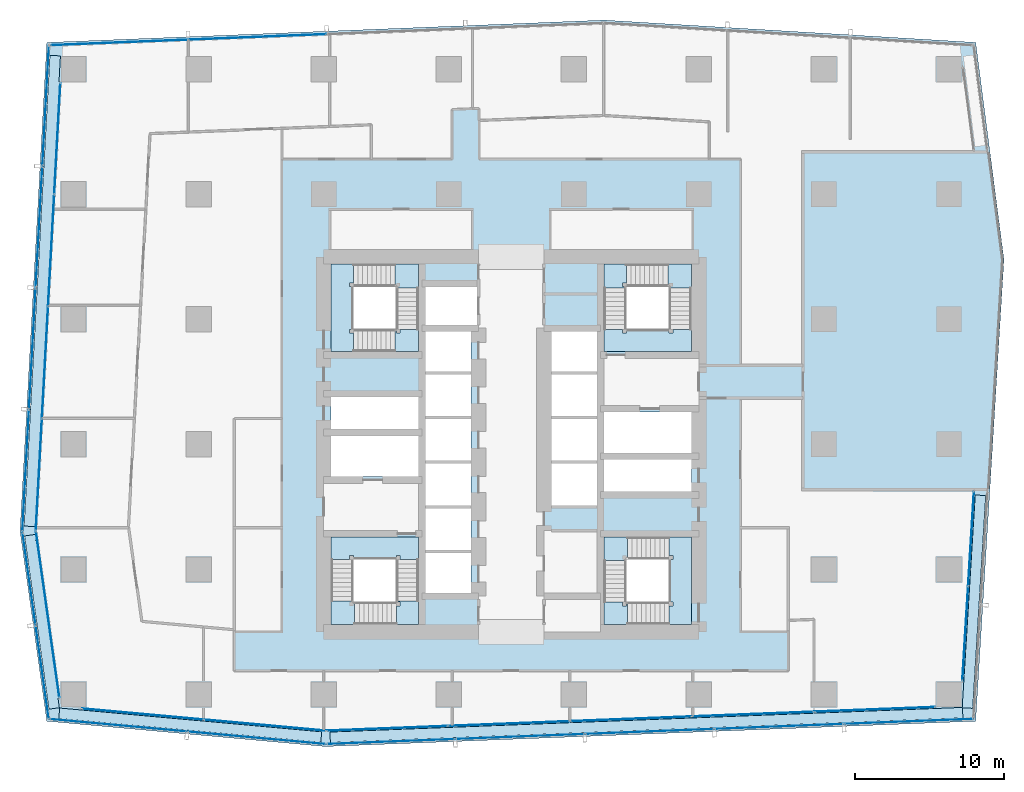
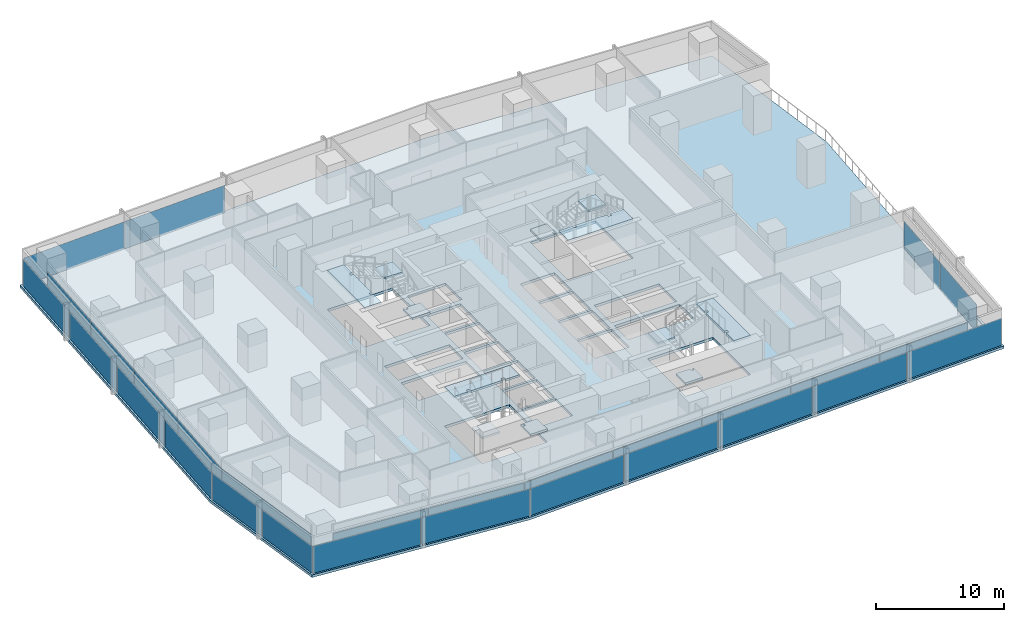
# One storey, part 27 of 40: 34 plates, 13 slabs, 14 elements without a shape of their own.
"""IFC4 building model written with IfcOpenShell, lengths in metres."""

import ifcopenshell
import ifcopenshell.guid

model = None  # the IFC model being written
_history = None  # IfcOwnerHistory: only IFC2X3 demands one
_inside = {}  # id of a spatial element -> (the spatial element, [elements in it])
_under = {}  # id of a project, library or spatial element -> (it, [spatial elements below it])
_declared = {}  # id of a project -> (the project, [libraries it declares])
_typed = {}  # id of a type object -> (the type object, [elements of that type])
_made_of = {}  # id of a material, layer set ... -> (it, [elements and type objects made of it])


def new_model(schema):
    """Start an empty IFC model of exactly this schema.

    Asked for "IFC4X3", IfcOpenShell would pick the latest addendum, in which some entities
    have other attributes; the version numbers below select the first issue.
    IFC2X3 requires an IfcOwnerHistory on every rooted entity: one is made here for all.
    """
    global model, _history
    if schema == "IFC4X3":
        model = ifcopenshell.file(schema_version=(4, 3, 0, 0))
    else:
        model = ifcopenshell.file(schema=schema)
    _inside.clear()
    _under.clear()
    _declared.clear()
    _typed.clear()
    _made_of.clear()
    _history = None
    if model.schema == "IFC2X3":
        org = make("IfcOrganization", Name="unknown")
        user = make(
            "IfcPersonAndOrganization",
            ThePerson=make("IfcPerson", FamilyName="unknown"),
            TheOrganization=org,
        )
        app = make(
            "IfcApplication",
            ApplicationDeveloper=org,
            Version="unknown",
            ApplicationFullName="unknown",
            ApplicationIdentifier="unknown",
        )
        _history = make(
            "IfcOwnerHistory",
            OwningUser=user,
            OwningApplication=app,
            ChangeAction="ADDED",
            CreationDate=0,
        )
    return model


def make(cls, **values):
    """One entity of the class cls with the attributes given. An attribute that is None is left unset."""
    return model.create_entity(
        cls, **{name: value for name, value in values.items() if value is not None}
    )


def rooted(cls, **values):
    """An entity with a GlobalId (a new one), such as an element, a storey or a relation."""
    return make(cls, GlobalId=ifcopenshell.guid.new(), OwnerHistory=_history, **values)


def si_unit(unit_type, name, prefix=None):
    """IfcSIUnit, for example si_unit("LENGTHUNIT", "METRE", prefix="MILLI")."""
    return make("IfcSIUnit", UnitType=unit_type, Prefix=prefix, Name=name)


def assignment(units):
    """IfcUnitAssignment: the units of a project."""
    return None if units is None else make("IfcUnitAssignment", Units=units)


def point(xyz):
    """IfcCartesianPoint."""
    return None if xyz is None else make("IfcCartesianPoint", Coordinates=xyz)


def direction(xyz):
    """IfcDirection."""
    return None if xyz is None else make("IfcDirection", DirectionRatios=xyz)


def frame(location, z_axis=None, x_axis=None):
    """IfcAxis2Placement3D, a coordinate frame: its origin and axes. An axis left out is left unset."""
    return make(
        "IfcAxis2Placement3D",
        Location=point(location),
        Axis=direction(z_axis),
        RefDirection=direction(x_axis),
    )


def frame_2d(location, x_axis=None):
    """IfcAxis2Placement2D, a coordinate frame in the plane: its origin and x axis."""
    return make(
        "IfcAxis2Placement2D", Location=point(location), RefDirection=direction(x_axis)
    )


def origin():
    """The frame at (0, 0, 0) with its axes left unset."""
    return frame((0.0, 0.0, 0.0))


def origin_2d():
    """The frame at (0, 0) in the plane with its x axis left unset."""
    return frame_2d((0.0, 0.0))


def place(relative_to, where):
    """IfcLocalPlacement: puts the frame where relative to a parent placement (None: the world)."""
    return make(
        "IfcLocalPlacement", PlacementRelTo=relative_to, RelativePlacement=where
    )


def context(
    kind, dimensions, precision=None, world=None, true_north=None, identifier=None
):
    """IfcGeometricRepresentationContext, for example the 3D "Model" context."""
    return make(
        "IfcGeometricRepresentationContext",
        ContextIdentifier=identifier,
        ContextType=kind,
        CoordinateSpaceDimension=dimensions,
        Precision=precision,
        WorldCoordinateSystem=world,
        TrueNorth=true_north,
    )


def subcontext(parent, identifier, kind, view, scale=None):
    """IfcGeometricRepresentationSubContext, for example "Body" below "Model"."""
    return make(
        "IfcGeometricRepresentationSubContext",
        ContextIdentifier=identifier,
        ContextType=kind,
        ParentContext=parent,
        TargetScale=scale,
        TargetView=view,
    )


def project(units=None, contexts=None):
    """IfcProject with its units and contexts."""
    return rooted(
        "IfcProject",
        Name="project",
        RepresentationContexts=contexts,
        UnitsInContext=assignment(units),
    )


def spatial(cls, under=None, at=None, **own):
    """A site, building, storey or space (cls), placed at a placement, below another one or the project."""
    s = rooted(cls, ObjectPlacement=at, **own)
    if under is not None:
        _under.setdefault(under.id(), (under, []))[1].append(s)
    return s


def polyline(points):
    """IfcPolyline through the points."""
    return make("IfcPolyline", Points=[point(p) for p in points])


def profile(cls, at=None, kind="AREA", **sizes):
    """A parametric profile (cls). Its sizes go by their IFC names, for example OverallWidth=200.0."""
    return make(cls, ProfileType=kind, Position=at, **sizes)


def rectangle(**sizes):
    """IfcRectangleProfileDef."""
    return profile("IfcRectangleProfileDef", **sizes)


def outline(outer, holes=None, kind="AREA"):
    """IfcArbitraryClosedProfileDef: a profile drawn as a closed curve; with holes, ...WithVoids."""
    if holes is None:
        return make("IfcArbitraryClosedProfileDef", ProfileType=kind, OuterCurve=outer)
    return make(
        "IfcArbitraryProfileDefWithVoids",
        ProfileType=kind,
        OuterCurve=outer,
        InnerCurves=holes,
    )


def extrude(swept, where, along, depth):
    """IfcExtrudedAreaSolid: the profile swept, set in the frame where, extruded along a direction by depth."""
    return make(
        "IfcExtrudedAreaSolid",
        SweptArea=swept,
        Position=where,
        ExtrudedDirection=direction(along),
        Depth=depth,
    )


def shape(context_of_items, identifier, shape_type, items):
    """IfcShapeRepresentation: the items that make up one representation, for example the "Body"."""
    return make(
        "IfcShapeRepresentation",
        ContextOfItems=context_of_items,
        RepresentationIdentifier=identifier,
        RepresentationType=shape_type,
        Items=items,
    )


def material(Name=None, Category=None):
    """IfcMaterial."""
    return make("IfcMaterial", Name=Name, Category=Category)


def layer(
    of_material, thickness, ventilated=None, Name=None, Category=None, Priority=None
):
    """IfcMaterialLayer: one layer of a wall or slab, of a material (None: an air gap)."""
    return make(
        "IfcMaterialLayer",
        Material=of_material,
        LayerThickness=thickness,
        IsVentilated=ventilated,
        Name=Name,
        Category=Category,
        Priority=Priority,
    )


def layer_set(layers, Name=None):
    """IfcMaterialLayerSet."""
    return make("IfcMaterialLayerSet", MaterialLayers=layers, LayerSetName=Name)


def made_of(thing, what):
    """Note that an element or type object is made of a material, layer set ...; save() writes the relation."""
    if what is not None:
        _made_of.setdefault(what.id(), (what, []))[1].append(thing)
    return thing


def type_object(cls, material=None, **own):
    """A type object (cls), such as IfcWallType, which elements share."""
    return made_of(rooted(cls, **own), material)


def element(
    cls,
    number,
    at=None,
    inside=None,
    cuts=None,
    type_object=None,
    material=None,
    context=None,
    identifier="Body",
    shape_type=None,
    held_by="IfcProductDefinitionShape",
    body=None,
    shapes=None,
    **own,
):
    """One element of the class cls, such as IfcWall. Its Tag is "e" and its number.

    at: its placement. inside: the storey or other place that contains it. cuts: it is an
    opening in that element (IfcRelVoidsElement). A single representation is given by context,
    identifier, shape_type and body (its items); several are given by shapes. held_by: the class
    of the entity that holds the representations. save() writes the other relations.
    """
    e = rooted(cls, Tag="e%d" % number, ObjectPlacement=at, **own)
    if body is not None:
        shapes = [shape(context, identifier, shape_type, body)]
    if shapes is not None:
        e.Representation = make(held_by, Representations=shapes)
    if inside is not None:
        _inside.setdefault(inside.id(), (inside, []))[1].append(e)
    if cuts is not None:
        rooted(
            "IfcRelVoidsElement", RelatingBuildingElement=cuts, RelatedOpeningElement=e
        )
    if type_object is not None:
        _typed.setdefault(type_object.id(), (type_object, []))[1].append(e)
    return made_of(e, material)


def aggregate(whole, parts):
    """IfcRelAggregates: a whole, such as a stair, and the parts it consists of."""
    return rooted("IfcRelAggregates", RelatingObject=whole, RelatedObjects=parts)


def save(model, path):
    """Write the relations noted so far, then the file.

    IfcRelAggregates (storeys below a building ...), IfcRelContainedInSpatialStructure (elements
    in a storey), IfcRelDefinesByType, IfcRelAssociatesMaterial and IfcRelDeclares: one each for
    every whole, place, type object, material and project.
    """
    for whole, parts in _under.values():
        aggregate(whole, parts)
    for where, things in _inside.values():
        rooted(
            "IfcRelContainedInSpatialStructure",
            RelatedElements=things,
            RelatingStructure=where,
        )
    for kind, things in _typed.values():
        rooted("IfcRelDefinesByType", RelatedObjects=things, RelatingType=kind)
    for what, things in _made_of.values():
        rooted("IfcRelAssociatesMaterial", RelatedObjects=things, RelatingMaterial=what)
    for by, libraries in _declared.values():
        rooted("IfcRelDeclares", RelatingContext=by, RelatedDefinitions=libraries)
    model.write(path)


model = new_model("IFC4")

# Units and contexts
model_context = context("Model", 3, precision=1e-05, world=origin(), true_north=direction((0.0, 1.0)))
body_context = subcontext(model_context, "Body", "Model", "MODEL_VIEW")
ifc_project = project(units=[si_unit("LENGTHUNIT", "METRE"), si_unit("AREAUNIT", "SQUARE_METRE"), si_unit("VOLUMEUNIT", "CUBIC_METRE"), si_unit("PLANEANGLEUNIT", "RADIAN"), si_unit("MASSUNIT", "GRAM", prefix="KILO")], contexts=[model_context])

# Site, building, storey
site_placement = place(None, origin())
site = spatial("IfcSite", under=ifc_project, at=site_placement, CompositionType="ELEMENT")
building_placement = place(site_placement, origin())
building = spatial("IfcBuilding", under=site, at=building_placement, Name="Rekha Terrace Tower", CompositionType="ELEMENT")
storey_placement = place(building_placement, frame((0.0, 0.0, 99.050048828125)))
storey = spatial("IfcBuildingStorey", under=building, at=storey_placement, Name="L24", CompositionType="ELEMENT", Elevation=99.050048828125)

# Curtain wall, plates
ifc_material_1 = material(Name="Aluminium framing", Category="aluminium")
curtain_wall_type_1 = type_object("IfcCurtainWallType", Name="CW1 double skin inner glazing", PredefinedType="USERDEFINED", material=ifc_material_1)
curtain_wall_1_placement = place(storey_placement, origin())
curtain_wall_1 = element("IfcCurtainWall", 1, at=curtain_wall_1_placement, inside=storey, type_object=curtain_wall_type_1, Name="CW1 double skin inner glazing", ObjectType="DOUBLE SKIN INNER GLAZING", PredefinedType="USERDEFINED")
ifc_material_2 = material(Name="Double-glazed low-e unit 32", Category="glass")
ifc_layer_1 = layer(ifc_material_2, 0.031982421875)
ifc_layer_set_1 = layer_set([ifc_layer_1], Name="Double-glazed low-e unit 32")
plate_type_1 = type_object("IfcPlateType", Name="CW1 jumbo vision panel, double-glazed low-e unit 32", PredefinedType="CURTAIN_PANEL", material=ifc_layer_set_1)
plate_1_placement = place(storey_placement, frame((13.0439453125, 15.479248046875, 0.0), z_axis=(0.0, 0.0, 1.0), x_axis=(0.995901923142, -0.090439811381, 0.0)))
plate_1 = element("IfcPlate", 2, at=plate_1_placement, type_object=plate_type_1, Name="CW1 panel 1.1", PredefinedType="CURTAIN_PANEL", context=body_context, shape_type="SweptSolid", body=[
    extrude(rectangle(XDim=8.1494140625, YDim=0.031982421875, at=origin_2d()), origin(), (0.0, 0.0, 1.0), 2.60009765625),
])
plate_2_placement = place(storey_placement, frame((21.257080078125, 14.7333984375, 0.0), z_axis=(0.0, 0.0, 1.0), x_axis=(0.995901923142, -0.090439811381, 0.0)))
plate_2 = element("IfcPlate", 3, at=plate_2_placement, type_object=plate_type_1, Name="CW1 panel 2.1", PredefinedType="CURTAIN_PANEL", context=body_context, shape_type="SweptSolid", body=[
    extrude(rectangle(XDim=8.214599609375, YDim=0.031982421875, at=origin_2d()), origin(), (0.0, 0.0, 1.0), 2.60009765625),
])
aggregate(curtain_wall_1, [plate_1, plate_2])

curtain_wall_2_placement = place(storey_placement, origin())
curtain_wall_2 = element("IfcCurtainWall", 4, at=curtain_wall_2_placement, inside=storey, type_object=curtain_wall_type_1, Name="CW1 double skin inner glazing", ObjectType="DOUBLE SKIN INNER GLAZING", PredefinedType="USERDEFINED")
plate_3_placement = place(storey_placement, frame((29.4619140625, 14.52197265625, 0.0), z_axis=(0.0, 0.0, 1.0), x_axis=(0.999243498917, 0.038889971345, 0.0)))
plate_3 = element("IfcPlate", 5, at=plate_3_placement, type_object=plate_type_1, Name="CW1 panel 1.1", PredefinedType="CURTAIN_PANEL", context=body_context, shape_type="SweptSolid", body=[
    extrude(rectangle(XDim=8.105224609375, YDim=0.031982421875, at=origin_2d()), origin(), (0.0, 0.0, 1.0), 2.60009765625),
])
plate_4_placement = place(storey_placement, frame((37.64208984375, 14.84033203125, 0.0), z_axis=(0.0, 0.0, 1.0), x_axis=(0.999243498917, 0.038889971345, 0.0)))
plate_4 = element("IfcPlate", 6, at=plate_4_placement, type_object=plate_type_1, Name="CW1 panel 2.1", PredefinedType="CURTAIN_PANEL", context=body_context, shape_type="SweptSolid", body=[
    extrude(rectangle(XDim=8.1376953125, YDim=0.031982421875, at=origin_2d()), origin(), (0.0, 0.0, 1.0), 2.60009765625),
])
plate_5_placement = place(storey_placement, frame((45.838623046875, 15.159423828125, 0.0), z_axis=(0.0, 0.0, 1.0), x_axis=(0.999243498917, 0.038889971345, 0.0)))
plate_5 = element("IfcPlate", 7, at=plate_5_placement, type_object=plate_type_1, Name="CW1 panel 3.1", PredefinedType="CURTAIN_PANEL", context=body_context, shape_type="SweptSolid", body=[
    extrude(rectangle(XDim=8.1376953125, YDim=0.031982421875, at=origin_2d()), origin(), (0.0, 0.0, 1.0), 2.60009765625),
])
plate_6_placement = place(storey_placement, frame((54.034912109375, 15.478271484375, 0.0), z_axis=(0.0, 0.0, 1.0), x_axis=(0.999243498917, 0.038889971345, 0.0)))
plate_6 = element("IfcPlate", 8, at=plate_6_placement, type_object=plate_type_1, Name="CW1 panel 4.1", PredefinedType="CURTAIN_PANEL", context=body_context, shape_type="SweptSolid", body=[
    extrude(rectangle(XDim=8.1376953125, YDim=0.031982421875, at=origin_2d()), origin(), (0.0, 0.0, 1.0), 2.60009765625),
])
plate_7_placement = place(storey_placement, frame((62.21533203125, 15.796630859375, 0.0), z_axis=(0.0, 0.0, 1.0), x_axis=(0.999243498917, 0.038889971345, 0.0)))
plate_7 = element("IfcPlate", 9, at=plate_7_placement, type_object=plate_type_1, Name="CW1 panel 5.1", PredefinedType="CURTAIN_PANEL", context=body_context, shape_type="SweptSolid", body=[
    extrude(rectangle(XDim=8.105224609375, YDim=0.031982421875, at=origin_2d()), origin(), (0.0, 0.0, 1.0), 2.60009765625),
])
aggregate(curtain_wall_2, [plate_3, plate_4, plate_5, plate_6, plate_7])

curtain_wall_3_placement = place(storey_placement, origin())
curtain_wall_3 = element("IfcCurtainWall", 10, at=curtain_wall_3_placement, inside=storey, type_object=curtain_wall_type_1, Name="CW1 double skin inner glazing", ObjectType="DOUBLE SKIN INNER GLAZING", PredefinedType="USERDEFINED")
plate_8_placement = place(storey_placement, frame((68.298583984375, 20.885986328125, 0.0), z_axis=(0.0, 0.0, 1.0), x_axis=(0.061159803096, 0.998127987026, 0.0)))
plate_8 = element("IfcPlate", 11, at=plate_8_placement, type_object=plate_type_1, Name="CW1 panel 1.1", PredefinedType="CURTAIN_PANEL", context=body_context, shape_type="SweptSolid", body=[
    extrude(rectangle(XDim=6.320068359375, YDim=0.031982421875, at=origin_2d()), origin(), (0.0, 0.0, 1.0), 2.60009765625),
])
plate_9_placement = place(storey_placement, frame((68.689208984375, 27.259033203125, 0.0), z_axis=(0.0, 0.0, 1.0), x_axis=(0.061159803096, 0.998127987026, 0.0)))
plate_9 = element("IfcPlate", 12, at=plate_9_placement, type_object=plate_type_1, Name="CW1 panel 2.1", PredefinedType="CURTAIN_PANEL", context=body_context, shape_type="SweptSolid", body=[
    extrude(rectangle(XDim=6.320068359375, YDim=0.031982421875, at=origin_2d()), origin(), (0.0, 0.0, 1.0), 2.60009765625),
])
aggregate(curtain_wall_3, [plate_8, plate_9])

curtain_wall_4_placement = place(storey_placement, origin())
curtain_wall_4 = element("IfcCurtainWall", 13, at=curtain_wall_4_placement, inside=storey, type_object=curtain_wall_type_1, Name="CW1 double skin inner glazing", ObjectType="DOUBLE SKIN INNER GLAZING", PredefinedType="USERDEFINED")
plate_10_placement = place(storey_placement, frame((7.30810546875, 54.15087890625, 0.0), z_axis=(0.0, 0.0, 1.0), x_axis=(-0.054742352707, -0.99850051318, 0.0)))
plate_10 = element("IfcPlate", 14, at=plate_10_placement, type_object=plate_type_1, Name="CW1 panel 1.1", PredefinedType="CURTAIN_PANEL", context=body_context, shape_type="SweptSolid", body=[
    extrude(rectangle(XDim=7.443359375, YDim=0.031982421875, at=origin_2d()), origin(), (0.0, 0.0, 1.0), 2.60009765625),
])
plate_11_placement = place(storey_placement, frame((6.89599609375, 46.637451171875, 0.0), z_axis=(0.0, 0.0, 1.0), x_axis=(-0.054742352707, -0.99850051318, 0.0)))
plate_11 = element("IfcPlate", 15, at=plate_11_placement, type_object=plate_type_1, Name="CW1 panel 2.1", PredefinedType="CURTAIN_PANEL", context=body_context, shape_type="SweptSolid", body=[
    extrude(rectangle(XDim=7.475830078125, YDim=0.031982421875, at=origin_2d()), origin(), (0.0, 0.0, 1.0), 2.60009765625),
])
plate_12_placement = place(storey_placement, frame((6.4833984375, 39.10791015625, 0.0), z_axis=(0.0, 0.0, 1.0), x_axis=(-0.054742352707, -0.99850051318, 0.0)))
plate_12 = element("IfcPlate", 16, at=plate_12_placement, type_object=plate_type_1, Name="CW1 panel 3.1", PredefinedType="CURTAIN_PANEL", context=body_context, shape_type="SweptSolid", body=[
    extrude(rectangle(XDim=7.475830078125, YDim=0.031982421875, at=origin_2d()), origin(), (0.0, 0.0, 1.0), 2.60009765625),
])
plate_13_placement = place(storey_placement, frame((6.069580078125, 31.56201171875, 0.0), z_axis=(0.0, 0.0, 1.0), x_axis=(-0.054742352707, -0.99850051318, 0.0)))
plate_13 = element("IfcPlate", 17, at=plate_13_placement, type_object=plate_type_1, Name="CW1 panel 4.1", PredefinedType="CURTAIN_PANEL", context=body_context, shape_type="SweptSolid", body=[
    extrude(rectangle(XDim=7.508544921875, YDim=0.031982421875, at=origin_2d()), origin(), (0.0, 0.0, 1.0), 2.60009765625),
])
aggregate(curtain_wall_4, [plate_10, plate_11, plate_12, plate_13])

# Curtain wall, plate
curtain_wall_5_placement = place(storey_placement, origin())
curtain_wall_5 = element("IfcCurtainWall", 18, at=curtain_wall_5_placement, inside=storey, type_object=curtain_wall_type_1, Name="CW1 double skin inner glazing", ObjectType="DOUBLE SKIN INNER GLAZING", PredefinedType="USERDEFINED")
plate_14_placement = place(storey_placement, frame((6.65869140625, 22.177490234375, 0.0), z_axis=(0.0, 0.0, 1.0), x_axis=(0.139597048082, -0.990208394312, 0.0)))
plate_14 = element("IfcPlate", 19, at=plate_14_placement, type_object=plate_type_1, Name="CW1 panel 1.1", PredefinedType="CURTAIN_PANEL", context=body_context, shape_type="SweptSolid", body=[
    extrude(rectangle(XDim=11.253173828125, YDim=0.031982421875, at=origin_2d()), origin(), (0.0, 0.0, 1.0), 2.60009765625),
])
aggregate(curtain_wall_5, [plate_14])

# Curtain wall, plates
curtain_wall_type_2 = type_object("IfcCurtainWallType", Name="CW2 double skin outer glazing", PredefinedType="USERDEFINED", material=ifc_material_1)
curtain_wall_6_placement = place(storey_placement, origin())
curtain_wall_6 = element("IfcCurtainWall", 20, at=curtain_wall_6_placement, inside=storey, type_object=curtain_wall_type_2, Name="CW2 double skin outer glazing", ObjectType="DOUBLE SKIN OUTER GLAZING", PredefinedType="USERDEFINED")
ifc_material_3 = material(Name="Toughened single glazing 12", Category="glass")
ifc_layer_2 = layer(ifc_material_3, 0.011962890625)
ifc_layer_set_2 = layer_set([ifc_layer_2], Name="Toughened single glazing 12")
plate_type_2 = type_object("IfcPlateType", Name="CW2 jumbo vision panel, toughened single glazing 12", PredefinedType="CURTAIN_PANEL", material=ifc_layer_set_2)
plate_15_placement = place(storey_placement, frame((11.406494140625, 14.72412109375, 0.0), z_axis=(0.0, 0.0, 1.0), x_axis=(0.995901923137, -0.090439811433, 0.0)))
plate_15 = element("IfcPlate", 21, at=plate_15_placement, type_object=plate_type_2, Name="CW2 panel 1.1", PredefinedType="CURTAIN_PANEL", context=body_context, shape_type="SweptSolid", body=[
    extrude(rectangle(XDim=9.2099609375, YDim=0.011962890625, at=origin_2d()), origin(), (0.0, 0.0, 1.0), 2.60009765625),
])
plate_16_placement = place(storey_placement, frame((20.6982421875, 13.88037109375, 0.0), z_axis=(0.0, 0.0, 1.0), x_axis=(0.995901923137, -0.090439811433, 0.0)))
plate_16 = element("IfcPlate", 22, at=plate_16_placement, type_object=plate_type_2, Name="CW2 panel 2.1", PredefinedType="CURTAIN_PANEL", context=body_context, shape_type="SweptSolid", body=[
    extrude(rectangle(XDim=9.2900390625, YDim=0.011962890625, at=origin_2d()), origin(), (0.0, 0.0, 1.0), 2.60009765625),
])
aggregate(curtain_wall_6, [plate_15, plate_16])

curtain_wall_7_placement = place(storey_placement, origin())
curtain_wall_7 = element("IfcCurtainWall", 23, at=curtain_wall_7_placement, inside=storey, type_object=curtain_wall_type_2, Name="CW2 double skin outer glazing", ObjectType="DOUBLE SKIN OUTER GLAZING", PredefinedType="USERDEFINED")
plate_17_placement = place(storey_placement, frame((29.696533203125, 13.63037109375, 0.0), z_axis=(0.0, 0.0, 1.0), x_axis=(0.999243498917, 0.038889971345, 0.0)))
plate_17 = element("IfcPlate", 24, at=plate_17_placement, type_object=plate_type_2, Name="CW2 panel 1.1", PredefinedType="CURTAIN_PANEL", context=body_context, shape_type="SweptSolid", body=[
    extrude(rectangle(XDim=8.591552734375, YDim=0.011962890625, at=origin_2d()), origin(), (0.0, 0.0, 1.0), 2.60009765625),
])
plate_18_placement = place(storey_placement, frame((38.381591796875, 13.968505859375, 0.0), z_axis=(0.0, 0.0, 1.0), x_axis=(0.999243498917, 0.038889971345, 0.0)))
plate_18 = element("IfcPlate", 25, at=plate_18_placement, type_object=plate_type_2, Name="CW2 panel 2.1", PredefinedType="CURTAIN_PANEL", context=body_context, shape_type="SweptSolid", body=[
    extrude(rectangle(XDim=8.631591796875, YDim=0.011962890625, at=origin_2d()), origin(), (0.0, 0.0, 1.0), 2.60009765625),
])
plate_19_placement = place(storey_placement, frame((47.086669921875, 14.307373046875, 0.0), z_axis=(0.0, 0.0, 1.0), x_axis=(0.999243498917, 0.038889971345, 0.0)))
plate_19 = element("IfcPlate", 26, at=plate_19_placement, type_object=plate_type_2, Name="CW2 panel 3.1", PredefinedType="CURTAIN_PANEL", context=body_context, shape_type="SweptSolid", body=[
    extrude(rectangle(XDim=8.631591796875, YDim=0.011962890625, at=origin_2d()), origin(), (0.0, 0.0, 1.0), 2.60009765625),
])
plate_20_placement = place(storey_placement, frame((55.791748046875, 14.64599609375, 0.0), z_axis=(0.0, 0.0, 1.0), x_axis=(0.999243498917, 0.038889971345, 0.0)))
plate_20 = element("IfcPlate", 27, at=plate_20_placement, type_object=plate_type_2, Name="CW2 panel 4.1", PredefinedType="CURTAIN_PANEL", context=body_context, shape_type="SweptSolid", body=[
    extrude(rectangle(XDim=8.631591796875, YDim=0.011962890625, at=origin_2d()), origin(), (0.0, 0.0, 1.0), 2.60009765625),
])
plate_21_placement = place(storey_placement, frame((64.5166015625, 14.985595703125, 0.0), z_axis=(0.0, 0.0, 1.0), x_axis=(0.999243498917, 0.038889971345, 0.0)))
plate_21 = element("IfcPlate", 28, at=plate_21_placement, type_object=plate_type_2, Name="CW2 panel 5.1", PredefinedType="CURTAIN_PANEL", context=body_context, shape_type="SweptSolid", body=[
    extrude(rectangle(XDim=8.671630859375, YDim=0.011962890625, at=origin_2d()), origin(), (0.0, 0.0, 1.0), 2.60009765625),
])
aggregate(curtain_wall_7, [plate_17, plate_18, plate_19, plate_20, plate_21])

curtain_wall_8_placement = place(storey_placement, origin())
curtain_wall_8 = element("IfcCurtainWall", 29, at=curtain_wall_8_placement, inside=storey, type_object=curtain_wall_type_2, Name="CW2 double skin outer glazing", ObjectType="DOUBLE SKIN OUTER GLAZING", PredefinedType="USERDEFINED")
plate_22_placement = place(storey_placement, frame((6.52685546875, 56.342041015625, 0.0), z_axis=(0.0, 0.0, 1.0), x_axis=(-0.054742352707, -0.99850051318, 0.0)))
plate_22 = element("IfcPlate", 30, at=plate_22_placement, type_object=plate_type_2, Name="CW2 panel 1.1", PredefinedType="CURTAIN_PANEL", context=body_context, shape_type="SweptSolid", body=[
    extrude(rectangle(XDim=8.06005859375, YDim=0.011962890625, at=origin_2d()), origin(), (0.0, 0.0, 1.0), 2.60009765625),
])
plate_23_placement = place(storey_placement, frame((6.080078125, 48.1943359375, 0.0), z_axis=(0.0, 0.0, 1.0), x_axis=(-0.054742352707, -0.99850051318, 0.0)))
plate_23 = element("IfcPlate", 31, at=plate_23_placement, type_object=plate_type_2, Name="CW2 panel 2.1", PredefinedType="CURTAIN_PANEL", context=body_context, shape_type="SweptSolid", body=[
    extrude(rectangle(XDim=8.10009765625, YDim=0.011962890625, at=origin_2d()), origin(), (0.0, 0.0, 1.0), 2.60009765625),
])
plate_24_placement = place(storey_placement, frame((5.63232421875, 40.026611328125, 0.0), z_axis=(0.0, 0.0, 1.0), x_axis=(-0.054742352707, -0.99850051318, 0.0)))
plate_24 = element("IfcPlate", 32, at=plate_24_placement, type_object=plate_type_2, Name="CW2 panel 3.1", PredefinedType="CURTAIN_PANEL", context=body_context, shape_type="SweptSolid", body=[
    extrude(rectangle(XDim=8.10009765625, YDim=0.011962890625, at=origin_2d()), origin(), (0.0, 0.0, 1.0), 2.60009765625),
])
plate_25_placement = place(storey_placement, frame((5.183349609375, 31.8388671875, 0.0), z_axis=(0.0, 0.0, 1.0), x_axis=(-0.054742352707, -0.99850051318, 0.0)))
plate_25 = element("IfcPlate", 33, at=plate_25_placement, type_object=plate_type_2, Name="CW2 panel 4.1", PredefinedType="CURTAIN_PANEL", context=body_context, shape_type="SweptSolid", body=[
    extrude(rectangle(XDim=8.14013671875, YDim=0.011962890625, at=origin_2d()), origin(), (0.0, 0.0, 1.0), 2.60009765625),
])
aggregate(curtain_wall_8, [plate_22, plate_23, plate_24, plate_25])

curtain_wall_9_placement = place(storey_placement, origin())
curtain_wall_9 = element("IfcCurtainWall", 34, at=curtain_wall_9_placement, inside=storey, type_object=curtain_wall_type_2, Name="CW2 double skin outer glazing", ObjectType="DOUBLE SKIN OUTER GLAZING", PredefinedType="USERDEFINED")
plate_26_placement = place(storey_placement, frame((5.408447265625, 24.598388671875, 0.0), z_axis=(0.0, 0.0, 1.0), x_axis=(0.139597048082, -0.990208394312, 0.0)))
plate_26 = element("IfcPlate", 35, at=plate_26_placement, type_object=plate_type_2, Name="CW2 panel 1.1", PredefinedType="CURTAIN_PANEL", context=body_context, shape_type="SweptSolid", body=[
    extrude(rectangle(XDim=6.255859375, YDim=0.011962890625, at=origin_2d()), origin(), (0.0, 0.0, 1.0), 2.60009765625),
])
plate_27_placement = place(storey_placement, frame((6.298583984375, 18.284912109375, 0.0), z_axis=(0.0, 0.0, 1.0), x_axis=(0.139597048082, -0.990208394312, 0.0)))
plate_27 = element("IfcPlate", 36, at=plate_27_placement, type_object=plate_type_2, Name="CW2 panel 2.1", PredefinedType="CURTAIN_PANEL", context=body_context, shape_type="SweptSolid", body=[
    extrude(rectangle(XDim=6.3359375, YDim=0.011962890625, at=origin_2d()), origin(), (0.0, 0.0, 1.0), 2.60009765625),
])
aggregate(curtain_wall_9, [plate_26, plate_27])

curtain_wall_type_3 = type_object("IfcCurtainWallType", Name="CW3 north unitised glazing", PredefinedType="USERDEFINED", material=ifc_material_1)
curtain_wall_10_placement = place(storey_placement, origin())
curtain_wall_10 = element("IfcCurtainWall", 37, at=curtain_wall_10_placement, inside=storey, type_object=curtain_wall_type_3, Name="CW3 unitised curtain wall", ObjectType="UNITISED CURTAIN WALL", PredefinedType="USERDEFINED")
ifc_material_4 = material(Name="Double-glazed unit 28", Category="glass")
ifc_layer_3 = layer(ifc_material_4, 0.028076171875)
ifc_layer_set_3 = layer_set([ifc_layer_3], Name="Double-glazed unit 28")
plate_type_3 = type_object("IfcPlateType", Name="CW3 jumbo vision panel, double-glazed unit 28", PredefinedType="CURTAIN_PANEL", material=ifc_layer_set_3)
plate_28_placement = place(storey_placement, frame((20.7578125, 60.967041015625, 0.0), z_axis=(0.0, 0.0, 1.0), x_axis=(-0.999198398721, -0.040031987119, 0.0)))
plate_28 = element("IfcPlate", 38, at=plate_28_placement, type_object=plate_type_3, Name="CW3 panel 3.1", PredefinedType="CURTAIN_PANEL", context=body_context, shape_type="SweptSolid", body=[
    extrude(rectangle(XDim=9.24951171875, YDim=0.028076171875, at=origin_2d()), origin(), (0.0, 0.0, 1.0), 2.60009765625),
])
plate_29_placement = place(storey_placement, frame((11.46337890625, 60.5947265625, 0.0), z_axis=(0.0, 0.0, 1.0), x_axis=(-0.999198398721, -0.040031987119, 0.0)))
plate_29 = element("IfcPlate", 39, at=plate_29_placement, type_object=plate_type_3, Name="CW3 panel 4.1", PredefinedType="CURTAIN_PANEL", context=body_context, shape_type="SweptSolid", body=[
    extrude(rectangle(XDim=9.214599609375, YDim=0.028076171875, at=origin_2d()), origin(), (0.0, 0.0, 1.0), 2.60009765625),
])
aggregate(curtain_wall_10, [plate_28, plate_29])

# Plates
ifc_material_5 = material(Name="Galvanised steel open grating", Category="steel")
ifc_layer_4 = layer(ifc_material_5, 0.050048828125)
ifc_layer_set_4 = layer_set([ifc_layer_4], Name="Galvanised steel open grating")
plate_type_4 = type_object("IfcPlateType", Name="GT1 cavity walkway grating 50", PredefinedType="USERDEFINED", material=ifc_layer_set_4)
plate_30_placement = place(storey_placement, frame((16.236083984375, 14.737548828125, 0.0), z_axis=(0.0, 0.0, 1.0), x_axis=(0.99590192314, -0.090439811399, 0.0)))
element("IfcPlate", 40, at=plate_30_placement, inside=storey, type_object=plate_type_4, Name="Cavity walkway grating", ObjectType="CAVITY WALKWAY GRATING", PredefinedType="USERDEFINED", context=body_context, shape_type="SweptSolid", body=[
    extrude(rectangle(XDim=17.674072265625, YDim=0.705078125, at=origin_2d()), origin(), (0.0, 0.0, 1.0), 0.050048828125),
])
plate_31_placement = place(storey_placement, frame((46.88037109375, 14.74951171875, 0.0), z_axis=(0.0, 0.0, 1.0), x_axis=(0.999243498917, 0.038889971345, 0.0)))
element("IfcPlate", 41, at=plate_31_placement, inside=storey, type_object=plate_type_4, Name="Cavity walkway grating", ObjectType="CAVITY WALKWAY GRATING", PredefinedType="USERDEFINED", context=body_context, shape_type="SweptSolid", body=[
    extrude(rectangle(XDim=42.521728515625, YDim=0.705078125, at=origin_2d()), origin(), (0.0, 0.0, 1.0), 0.050048828125),
])
plate_32_placement = place(storey_placement, frame((68.881103515625, 23.032958984375, 0.0), z_axis=(0.0, 0.0, 1.0), x_axis=(0.061159803131, 0.998127987024, 0.0)))
element("IfcPlate", 42, at=plate_32_placement, inside=storey, type_object=plate_type_4, Name="Cavity walkway grating", ObjectType="CAVITY WALKWAY GRATING", PredefinedType="USERDEFINED", context=body_context, shape_type="SweptSolid", body=[
    extrude(rectangle(XDim=14.31787109375, YDim=0.705078125, at=origin_2d()), origin(), (0.0, 0.0, 1.0), 0.050048828125),
])
plate_33_placement = place(storey_placement, frame((6.295654296875, 43.9033203125, 0.0), z_axis=(0.0, 0.0, 1.0), x_axis=(-0.05474235269, -0.998500513181, 0.0)))
element("IfcPlate", 43, at=plate_33_placement, inside=storey, type_object=plate_type_4, Name="Cavity walkway grating", ObjectType="CAVITY WALKWAY GRATING", PredefinedType="USERDEFINED", context=body_context, shape_type="SweptSolid", body=[
    extrude(rectangle(XDim=31.6669921875, YDim=0.705078125, at=origin_2d()), origin(), (0.0, 0.0, 1.0), 0.050048828125),
])
plate_34_placement = place(storey_placement, frame((6.2744140625, 21.678955078125, 0.0), z_axis=(0.0, 0.0, 1.0), x_axis=(0.139597048064, -0.990208394315, 0.0)))
element("IfcPlate", 44, at=plate_34_placement, inside=storey, type_object=plate_type_4, Name="Cavity walkway grating", ObjectType="CAVITY WALKWAY GRATING", PredefinedType="USERDEFINED", context=body_context, shape_type="SweptSolid", body=[
    extrude(rectangle(XDim=11.751220703125, YDim=0.705078125, at=origin_2d()), origin(), (0.0, 0.0, 1.0), 0.050048828125),
])

# Stair, slabs
ifc_material_6 = material(Name="Concrete M40", Category="concrete")
stair_type = type_object("IfcStairType", Name="ST30 stair, 30 risers of 125, going 310, 1500 wide flights, 3 flights", PredefinedType="HALF_TURN_STAIR", material=ifc_material_6)
stair_1_placement = place(storey_placement, origin())
stair_1 = element("IfcStair", 45, at=stair_1_placement, inside=storey, type_object=stair_type, Name="Stair ST1 L24 to L25", PredefinedType="HALF_TURN_STAIR")
ifc_layer_5 = layer(ifc_material_6, 0.199951171875)
ifc_layer_set_5 = layer_set([ifc_layer_5], Name="Concrete M40")
slab_type_1 = type_object("IfcSlabType", Name="LD1 200 concrete stair landing", PredefinedType="LANDING", material=ifc_layer_set_5)
slab_1_placement = place(storey_placement, frame((0.0, 0.0, 1.050048828125)))
slab_1 = element("IfcSlab", 46, at=slab_1_placement, type_object=slab_type_1, Name="ST1 landing 1", PredefinedType="LANDING", context=body_context, shape_type="SweptSolid", body=[
    extrude(outline(polyline([(30.074951171875, 21.5), (31.574951171875, 21.5), (31.574951171875, 23.0849609375), (30.074951171875, 23.0849609375), (30.074951171875, 23.0), (30.324951171875, 23.0), (30.324951171875, 22.75), (30.074951171875, 22.75), (30.074951171875, 21.5)])), origin(), (0.0, 0.0, 1.0), 0.199951171875),
])
slab_2_placement = place(storey_placement, frame((0.0, 0.0, 2.300048828125)))
slab_2 = element("IfcSlab", 47, at=slab_2_placement, type_object=slab_type_1, Name="ST1 landing 2", PredefinedType="LANDING", context=body_context, shape_type="SweptSolid", body=[
    extrude(outline(polyline([(27.199951171875, 23.0849609375), (25.699951171875, 23.0849609375), (25.699951171875, 21.5), (27.284912109375, 21.5), (27.284912109375, 23.0), (27.199951171875, 23.0), (27.199951171875, 23.0849609375)])), origin(), (0.0, 0.0, 1.0), 0.199951171875),
])
slab_3_placement = place(storey_placement, frame((0.0, 0.0, 3.550048828125)))
slab_3 = element("IfcSlab", 48, at=slab_3_placement, type_object=slab_type_1, Name="ST1 landing 3", PredefinedType="LANDING", context=body_context, shape_type="SweptSolid", body=[
    extrude(outline(polyline([(31.574951171875, 25.875), (31.574951171875, 27.375), (25.699951171875, 27.375), (25.699951171875, 25.875), (26.949951171875, 25.875), (26.949951171875, 26.125), (27.199951171875, 26.125), (27.199951171875, 25.875), (30.074951171875, 25.875), (30.074951171875, 26.125), (30.324951171875, 26.125), (30.324951171875, 25.875), (31.574951171875, 25.875)])), origin(), (0.0, 0.0, 1.0), 0.199951171875),
])
aggregate(stair_1, [slab_1, slab_2, slab_3])

stair_2_placement = place(storey_placement, origin())
stair_2 = element("IfcStair", 49, at=stair_2_placement, inside=storey, type_object=stair_type, Name="Stair ST2 L24 to L25", PredefinedType="HALF_TURN_STAIR")
slab_4_placement = place(storey_placement, frame((0.0, 0.0, 1.050048828125)))
slab_4 = element("IfcSlab", 50, at=slab_4_placement, type_object=slab_type_1, Name="ST2 landing 1", PredefinedType="LANDING", context=body_context, shape_type="SweptSolid", body=[
    extrude(outline(polyline([(45.52490234375, 45.699951171875), (44.02490234375, 45.699951171875), (44.02490234375, 44.114990234375), (45.52490234375, 44.114990234375), (45.52490234375, 44.199951171875), (45.27490234375, 44.199951171875), (45.27490234375, 44.449951171875), (45.52490234375, 44.449951171875), (45.52490234375, 45.699951171875)])), origin(), (0.0, 0.0, 1.0), 0.199951171875),
])
slab_5_placement = place(storey_placement, frame((0.0, 0.0, 2.300048828125)))
slab_5 = element("IfcSlab", 51, at=slab_5_placement, type_object=slab_type_1, Name="ST2 landing 2", PredefinedType="LANDING", context=body_context, shape_type="SweptSolid", body=[
    extrude(outline(polyline([(48.39990234375, 44.114990234375), (49.89990234375, 44.114990234375), (49.89990234375, 45.699951171875), (48.31494140625, 45.699951171875), (48.31494140625, 44.199951171875), (48.39990234375, 44.199951171875), (48.39990234375, 44.114990234375)])), origin(), (0.0, 0.0, 1.0), 0.199951171875),
])
slab_6_placement = place(storey_placement, frame((0.0, 0.0, 3.550048828125)))
slab_6 = element("IfcSlab", 52, at=slab_6_placement, type_object=slab_type_1, Name="ST2 landing 3", PredefinedType="LANDING", context=body_context, shape_type="SweptSolid", body=[
    extrude(outline(polyline([(44.02490234375, 41.324951171875), (44.02490234375, 39.824951171875), (49.89990234375, 39.824951171875), (49.89990234375, 41.324951171875), (48.64990234375, 41.324951171875), (48.64990234375, 41.074951171875), (48.39990234375, 41.074951171875), (48.39990234375, 41.324951171875), (45.52490234375, 41.324951171875), (45.52490234375, 41.074951171875), (45.27490234375, 41.074951171875), (45.27490234375, 41.324951171875), (44.02490234375, 41.324951171875)])), origin(), (0.0, 0.0, 1.0), 0.199951171875),
])
aggregate(stair_2, [slab_4, slab_5, slab_6])

stair_3_placement = place(storey_placement, origin())
stair_3 = element("IfcStair", 53, at=stair_3_placement, inside=storey, type_object=stair_type, Name="Stair ST3 L24 to L25", PredefinedType="HALF_TURN_STAIR")
slab_7_placement = place(storey_placement, frame((0.0, 0.0, 1.050048828125)))
slab_7 = element("IfcSlab", 54, at=slab_7_placement, type_object=slab_type_1, Name="ST3 landing 1", PredefinedType="LANDING", context=body_context, shape_type="SweptSolid", body=[
    extrude(outline(polyline([(44.02490234375, 23.0), (44.02490234375, 21.5), (45.610107421875, 21.5), (45.610107421875, 23.0), (45.52490234375, 23.0), (45.52490234375, 22.75), (45.27490234375, 22.75), (45.27490234375, 23.0), (44.02490234375, 23.0)])), origin(), (0.0, 0.0, 1.0), 0.199951171875),
])
slab_8_placement = place(storey_placement, frame((0.0, 0.0, 2.300048828125)))
slab_8 = element("IfcSlab", 55, at=slab_8_placement, type_object=slab_type_1, Name="ST3 landing 2", PredefinedType="LANDING", context=body_context, shape_type="SweptSolid", body=[
    extrude(outline(polyline([(45.610107421875, 25.875), (45.610107421875, 27.375), (44.02490234375, 27.375), (44.02490234375, 25.7900390625), (45.52490234375, 25.7900390625), (45.52490234375, 25.875), (45.610107421875, 25.875)])), origin(), (0.0, 0.0, 1.0), 0.199951171875),
])
slab_9_placement = place(storey_placement, frame((0.0, 0.0, 3.550048828125)))
slab_9 = element("IfcSlab", 56, at=slab_9_placement, type_object=slab_type_1, Name="ST3 landing 3", PredefinedType="LANDING", context=body_context, shape_type="SweptSolid", body=[
    extrude(outline(polyline([(48.39990234375, 21.5), (49.89990234375, 21.5), (49.89990234375, 27.375), (48.39990234375, 27.375), (48.39990234375, 26.125), (48.64990234375, 26.125), (48.64990234375, 25.875), (48.39990234375, 25.875), (48.39990234375, 23.0), (48.64990234375, 23.0), (48.64990234375, 22.75), (48.39990234375, 22.75), (48.39990234375, 21.5)])), origin(), (0.0, 0.0, 1.0), 0.199951171875),
])
aggregate(stair_3, [slab_7, slab_8, slab_9])

stair_4_placement = place(storey_placement, origin())
stair_4 = element("IfcStair", 57, at=stair_4_placement, inside=storey, type_object=stair_type, Name="Stair ST4 L24 to L25", PredefinedType="HALF_TURN_STAIR")
slab_10_placement = place(storey_placement, frame((0.0, 0.0, 1.050048828125)))
slab_10 = element("IfcSlab", 58, at=slab_10_placement, type_object=slab_type_1, Name="ST4 landing 1", PredefinedType="LANDING", context=body_context, shape_type="SweptSolid", body=[
    extrude(outline(polyline([(31.574951171875, 41.324951171875), (31.574951171875, 39.824951171875), (29.989990234375, 39.824951171875), (29.989990234375, 41.324951171875), (30.074951171875, 41.324951171875), (30.074951171875, 41.074951171875), (30.324951171875, 41.074951171875), (30.324951171875, 41.324951171875), (31.574951171875, 41.324951171875)])), origin(), (0.0, 0.0, 1.0), 0.199951171875),
])
slab_11_placement = place(storey_placement, frame((0.0, 0.0, 2.300048828125)))
slab_11 = element("IfcSlab", 59, at=slab_11_placement, type_object=slab_type_1, Name="ST4 landing 2", PredefinedType="LANDING", context=body_context, shape_type="SweptSolid", body=[
    extrude(outline(polyline([(29.989990234375, 44.199951171875), (29.989990234375, 45.699951171875), (31.574951171875, 45.699951171875), (31.574951171875, 44.114990234375), (30.074951171875, 44.114990234375), (30.074951171875, 44.199951171875), (29.989990234375, 44.199951171875)])), origin(), (0.0, 0.0, 1.0), 0.199951171875),
])
slab_12_placement = place(storey_placement, frame((0.0, 0.0, 3.550048828125)))
slab_12 = element("IfcSlab", 60, at=slab_12_placement, type_object=slab_type_1, Name="ST4 landing 3", PredefinedType="LANDING", context=body_context, shape_type="SweptSolid", body=[
    extrude(outline(polyline([(27.199951171875, 39.824951171875), (25.699951171875, 39.824951171875), (25.699951171875, 45.699951171875), (27.199951171875, 45.699951171875), (27.199951171875, 44.449951171875), (26.949951171875, 44.449951171875), (26.949951171875, 44.199951171875), (27.199951171875, 44.199951171875), (27.199951171875, 41.324951171875), (26.949951171875, 41.324951171875), (26.949951171875, 41.074951171875), (27.199951171875, 41.074951171875), (27.199951171875, 39.824951171875)])), origin(), (0.0, 0.0, 1.0), 0.199951171875),
])
aggregate(stair_4, [slab_10, slab_11, slab_12])

# Slab
ifc_material_7 = material(Name="Concrete M50", Category="concrete")
ifc_layer_6 = layer(ifc_material_7, 0.25)
ifc_layer_set_6 = layer_set([ifc_layer_6], Name="Concrete M50")
slab_type_2 = type_object("IfcSlabType", Name="SL4 250 post-tensioned flat plate", PredefinedType="FLOOR", material=ifc_layer_set_6)
slab_13_placement = place(storey_placement, frame((0.0, 0.0, -0.25)))
element("IfcSlab", 61, at=slab_13_placement, inside=storey, type_object=slab_type_2, Name="Post-tensioned flat plate L24", PredefinedType="FLOOR", context=body_context, shape_type="SweptSolid", body=[
    extrude(outline(polyline([(4.800048828125, 27.76806640625), (6.60009765625, 15.0), (25.320068359375, 13.300048828125), (69.0, 15.0), (70.89990234375, 46.008056640625), (69.0, 60.60009765625), (44.0400390625, 62.10009765625), (6.60009765625, 60.60009765625), (4.800048828125, 27.76806640625)]), holes=[polyline([(31.574951171875, 27.375), (31.574951171875, 21.5), (25.699951171875, 21.5), (25.699951171875, 27.375), (31.574951171875, 27.375)]), polyline([(35.10009765625, 26.300048828125), (35.10009765625, 23.625), (32.02490234375, 23.625), (32.02490234375, 26.300048828125), (35.10009765625, 26.300048828125)]), polyline([(35.10009765625, 29.300048828125), (35.10009765625, 26.5), (32.02490234375, 26.5), (32.02490234375, 29.300048828125), (35.10009765625, 29.300048828125)]), polyline([(35.10009765625, 32.300048828125), (35.10009765625, 29.5), (32.02490234375, 29.5), (32.02490234375, 32.300048828125), (35.10009765625, 32.300048828125)]), polyline([(31.574951171875, 34.175048828125), (31.574951171875, 31.425048828125), (25.699951171875, 31.425048828125), (25.699951171875, 34.175048828125), (31.574951171875, 34.175048828125)]), polyline([(35.10009765625, 35.300048828125), (35.10009765625, 32.5), (32.02490234375, 32.5), (32.02490234375, 35.300048828125), (35.10009765625, 35.300048828125)]), polyline([(31.574951171875, 36.77490234375), (31.574951171875, 34.625), (25.699951171875, 34.625), (25.699951171875, 36.77490234375), (31.574951171875, 36.77490234375)]), polyline([(35.10009765625, 35.5), (32.02490234375, 35.5), (32.02490234375, 38.300048828125), (35.10009765625, 38.300048828125), (35.10009765625, 35.5)]), polyline([(35.10009765625, 38.5), (32.02490234375, 38.5), (32.02490234375, 41.175048828125), (35.10009765625, 41.175048828125), (35.10009765625, 38.5)]), polyline([(31.574951171875, 45.699951171875), (31.574951171875, 39.824951171875), (25.699951171875, 39.824951171875), (25.699951171875, 45.699951171875), (31.574951171875, 45.699951171875)]), polyline([(49.89990234375, 27.375), (49.89990234375, 21.5), (44.02490234375, 21.5), (44.02490234375, 27.375), (49.89990234375, 27.375)]), polyline([(43.574951171875, 32.300048828125), (43.574951171875, 29.5), (40.5, 29.5), (40.5, 32.300048828125), (43.574951171875, 32.300048828125)]), polyline([(49.89990234375, 30.425048828125), (44.02490234375, 30.425048828125), (44.02490234375, 32.574951171875), (49.89990234375, 32.574951171875), (49.89990234375, 30.425048828125)]), polyline([(43.574951171875, 32.5), (40.5, 32.5), (40.5, 35.300048828125), (43.574951171875, 35.300048828125), (43.574951171875, 32.5)]), polyline([(49.89990234375, 35.77490234375), (49.89990234375, 33.02490234375), (44.02490234375, 33.02490234375), (44.02490234375, 35.77490234375), (49.89990234375, 35.77490234375)]), polyline([(43.574951171875, 38.300048828125), (43.574951171875, 35.5), (40.5, 35.5), (40.5, 38.300048828125), (43.574951171875, 38.300048828125)]), polyline([(43.574951171875, 41.175048828125), (43.574951171875, 38.5), (40.5, 38.5), (40.5, 41.175048828125), (43.574951171875, 41.175048828125)]), polyline([(49.89990234375, 39.824951171875), (44.02490234375, 39.824951171875), (44.02490234375, 45.699951171875), (49.89990234375, 45.699951171875), (49.89990234375, 39.824951171875)]), polyline([(35.5, 41.625), (32.02490234375, 41.625), (32.02490234375, 44.175048828125), (35.5, 44.175048828125), (35.5, 41.625)])]), origin(), (0.0, 0.0, 1.0), 0.25),
])

save(model, "model.ifc")
